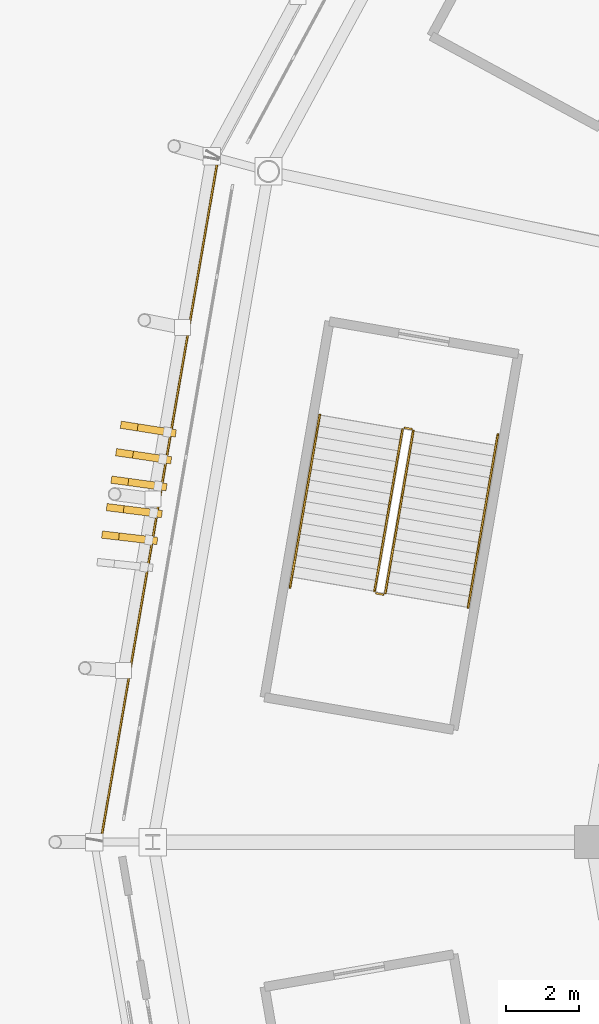
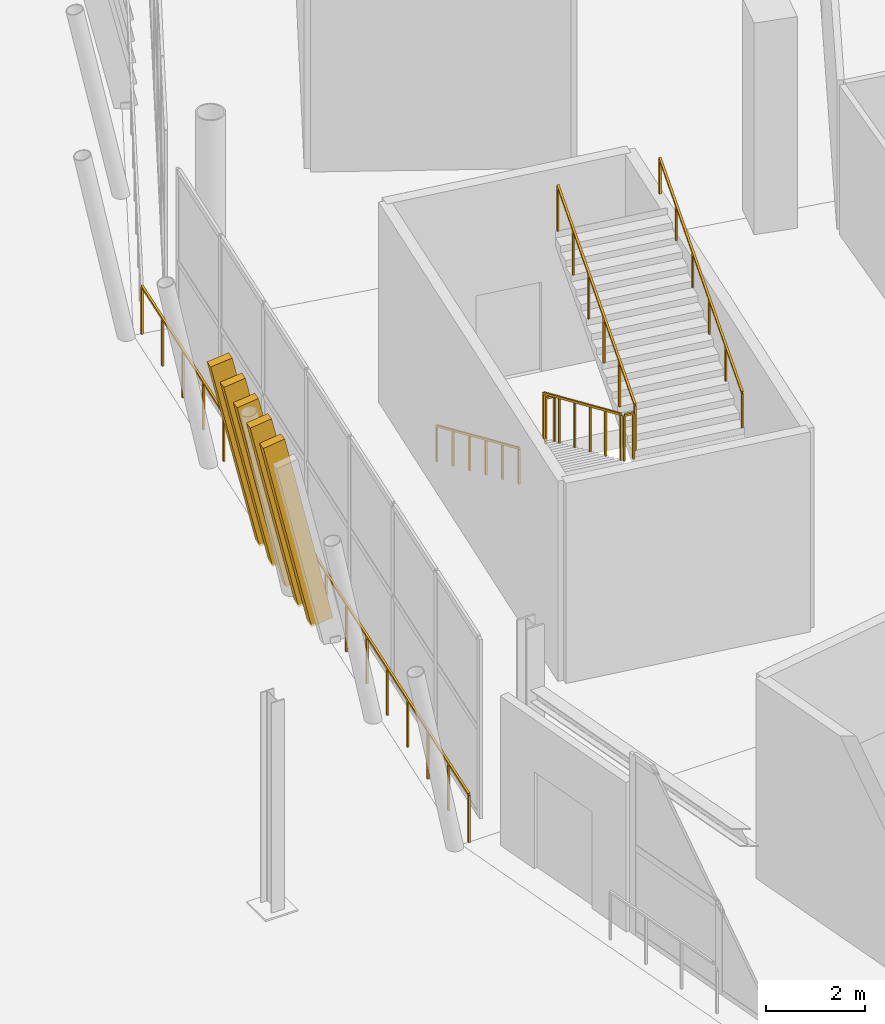
# One storey, part 154 of 178: 7 railings, 5 shading devices.
"""IFC4 building model written with IfcOpenShell, lengths in metres."""

from ifc_helpers import new_model, si_unit, direction, frame, origin, origin_2d, place, context, subcontext, project, spatial, rectangle, extrude, material, material_profile, profile_set, type_object, element, save


model = new_model("IFC4")

# Units and contexts
model_context = context("Model", 3, precision=1e-05, world=origin(), true_north=direction((0.0, 1.0)))
body_context = subcontext(model_context, "Body", "Model", "MODEL_VIEW")
ifc_project = project(units=[si_unit("LENGTHUNIT", "METRE"), si_unit("AREAUNIT", "SQUARE_METRE"), si_unit("VOLUMEUNIT", "CUBIC_METRE"), si_unit("PLANEANGLEUNIT", "RADIAN"), si_unit("MASSUNIT", "GRAM", prefix="KILO")], contexts=[model_context])

# Site, building, storey
site_placement = place(None, origin())
site = spatial("IfcSite", under=ifc_project, at=site_placement, CompositionType="ELEMENT")
building_placement = place(site_placement, origin())
building = spatial("IfcBuilding", under=site, at=building_placement, Name="Zlatoyarsky Gate Stadium", CompositionType="ELEMENT")
storey_placement = place(building_placement, frame((0.0, 0.0, 5.39990234375)))
storey = spatial("IfcBuildingStorey", under=building, at=storey_placement, Name="L01", CompositionType="ELEMENT", Elevation=5.39990234375)

# Railings
ifc_material_1 = material(Name="Powder-coated steel tubular guardrail", Category="steel")
railing_type_1 = type_object("IfcRailingType", Name="CONCOURSE SLAB EDGE GUARDRAIL 1200", PredefinedType="GUARDRAIL", material=ifc_material_1)
railing_1_placement = place(storey_placement, frame((19.7890625, 98.745849609375, 0.0)))
element("IfcRailing", 1, at=railing_1_placement, inside=storey, type_object=railing_type_1, Name="L01 outer slab edge guardrail 11", PredefinedType="GUARDRAIL", context=body_context, shape_type="SweptSolid", body=[
    extrude(rectangle(XDim=0.048095703125, YDim=0.048095703125, at=origin_2d()), frame((0.0, 0.0, 1.17578125), z_axis=(-0.169165818448, -0.98558760436, 0.0), x_axis=(0.98558760436, -0.169165818448, 0.0)), (0.0, 0.0, 1.0), 19.02001953125),
    extrude(rectangle(XDim=0.0419921875, YDim=0.0419921875, at=origin_2d()), origin(), (0.0, 0.0, 1.0), 1.15185546875),
    extrude(rectangle(XDim=0.0419921875, YDim=0.0419921875, at=origin_2d()), frame((-0.201171875, -1.171630859375, 0.0)), (0.0, 0.0, 1.0), 1.15185546875),
    extrude(rectangle(XDim=0.0419921875, YDim=0.0419921875, at=origin_2d()), frame((-0.402099609375, -2.34326171875, 0.0)), (0.0, 0.0, 1.0), 1.15185546875),
    extrude(rectangle(XDim=0.0419921875, YDim=0.0419921875, at=origin_2d()), frame((-0.603271484375, -3.514892578125, 0.0)), (0.0, 0.0, 1.0), 1.15185546875),
    extrude(rectangle(XDim=0.0419921875, YDim=0.0419921875, at=origin_2d()), frame((-0.804443359375, -4.6865234375, 0.0)), (0.0, 0.0, 1.0), 1.15185546875),
    extrude(rectangle(XDim=0.0419921875, YDim=0.0419921875, at=origin_2d()), frame((-1.00537109375, -5.858154296875, 0.0)), (0.0, 0.0, 1.0), 1.15185546875),
    extrude(rectangle(XDim=0.0419921875, YDim=0.0419921875, at=origin_2d()), frame((-1.20654296875, -7.02978515625, 0.0)), (0.0, 0.0, 1.0), 1.15185546875),
    extrude(rectangle(XDim=0.0419921875, YDim=0.0419921875, at=origin_2d()), frame((-1.40771484375, -8.201416015625, 0.0)), (0.0, 0.0, 1.0), 1.15185546875),
    extrude(rectangle(XDim=0.0419921875, YDim=0.0419921875, at=origin_2d()), frame((-1.60888671875, -9.373046875, 0.0)), (0.0, 0.0, 1.0), 1.15185546875),
    extrude(rectangle(XDim=0.0419921875, YDim=0.0419921875, at=origin_2d()), frame((-1.809814453125, -10.54443359375, 0.0)), (0.0, 0.0, 1.0), 1.15185546875),
    extrude(rectangle(XDim=0.0419921875, YDim=0.0419921875, at=origin_2d()), frame((-2.010986328125, -11.716064453125, 0.0)), (0.0, 0.0, 1.0), 1.15185546875),
    extrude(rectangle(XDim=0.0419921875, YDim=0.0419921875, at=origin_2d()), frame((-2.212158203125, -12.8876953125, 0.0)), (0.0, 0.0, 1.0), 1.15185546875),
    extrude(rectangle(XDim=0.0419921875, YDim=0.0419921875, at=origin_2d()), frame((-2.4130859375, -14.059326171875, 0.0)), (0.0, 0.0, 1.0), 1.15185546875),
    extrude(rectangle(XDim=0.0419921875, YDim=0.0419921875, at=origin_2d()), frame((-2.6142578125, -15.23095703125, 0.0)), (0.0, 0.0, 1.0), 1.15185546875),
    extrude(rectangle(XDim=0.0419921875, YDim=0.0419921875, at=origin_2d()), frame((-2.8154296875, -16.402587890625, 0.0)), (0.0, 0.0, 1.0), 1.15185546875),
    extrude(rectangle(XDim=0.0419921875, YDim=0.0419921875, at=origin_2d()), frame((-3.016357421875, -17.57421875, 0.0)), (0.0, 0.0, 1.0), 1.15185546875),
    extrude(rectangle(XDim=0.0419921875, YDim=0.0419921875, at=origin_2d()), frame((-3.217529296875, -18.745849609375, 0.0)), (0.0, 0.0, 1.0), 1.15185546875),
])
ifc_material_2 = material(Name="Powder-coated steel stair guardrail", Category="steel")
railing_type_2 = type_object("IfcRailingType", Name="PAINTED STEEL STAIR WELL GUARDRAIL 1150", PredefinedType="GUARDRAIL", material=ifc_material_2)
railing_2_placement = place(storey_placement, frame((24.841064453125, 91.30859375, 0.16259765625)))
element("IfcRailing", 2, at=railing_2_placement, inside=storey, type_object=railing_type_2, Name="ST-18 L01 stair guard 1", PredefinedType="GUARDRAIL", context=body_context, shape_type="SweptSolid", body=[
    extrude(rectangle(XDim=0.048095703125, YDim=0.048095703125, at=origin_2d()), frame((0.0, 0.0, 1.1259765625), z_axis=(-0.149410651291, -0.866505450206, 0.476282229402), x_axis=(0.985457609709, -0.16992145087, 0.0)), (0.0, 0.0, 1.0), 5.11767578125),
    extrude(rectangle(XDim=0.0419921875, YDim=0.0419921875, at=origin_2d()), origin(), (0.0, 0.0, 1.0), 1.101806640625),
    extrude(rectangle(XDim=0.0419921875, YDim=0.0419921875, at=origin_2d()), frame((-0.15283203125, -0.886962890625, 0.487548828125)), (0.0, 0.0, 1.0), 1.101806640625),
    extrude(rectangle(XDim=0.0419921875, YDim=0.0419921875, at=origin_2d()), frame((-0.305908203125, -1.77392578125, 0.97509765625)), (0.0, 0.0, 1.0), 1.101806640625),
    extrude(rectangle(XDim=0.0419921875, YDim=0.0419921875, at=origin_2d()), frame((-0.458740234375, -2.66064453125, 1.46240234375)), (0.0, 0.0, 1.0), 1.101806640625),
    extrude(rectangle(XDim=0.0419921875, YDim=0.0419921875, at=origin_2d()), frame((-0.61181640625, -3.547607421875, 1.949951171875)), (0.0, 0.0, 1.0), 1.101806640625),
    extrude(rectangle(XDim=0.0419921875, YDim=0.0419921875, at=origin_2d()), frame((-0.7646484375, -4.4345703125, 2.4375)), (0.0, 0.0, 1.0), 1.101806640625),
])
railing_3_placement = place(storey_placement, frame((24.1171875, 86.81640625, 2.60009765625)))
element("IfcRailing", 3, at=railing_3_placement, inside=storey, type_object=railing_type_2, Name="ST-18 L01 stair guard 2", PredefinedType="GUARDRAIL", context=body_context, shape_type="SweptSolid", body=[
    extrude(rectangle(XDim=0.048095703125, YDim=0.048095703125, at=origin_2d()), frame((0.0, 0.0, 1.1259765625), z_axis=(0.985488304827, -0.16974333875, 0.0), x_axis=(0.16974333875, 0.985488304827, 0.0)), (0.0, 0.0, 1.0), 0.199951171875),
    extrude(rectangle(XDim=0.0419921875, YDim=0.0419921875, at=origin_2d()), origin(), (0.0, 0.0, 1.0), 1.101806640625),
    extrude(rectangle(XDim=0.0419921875, YDim=0.0419921875, at=origin_2d()), frame((0.197021484375, -0.033935546875, 0.0)), (0.0, 0.0, 1.0), 1.101806640625),
])
railing_4_placement = place(storey_placement, frame((24.3720703125, 86.8232421875, 2.7626953125)))
element("IfcRailing", 4, at=railing_4_placement, inside=storey, type_object=railing_type_2, Name="ST-18 L01 stair guard 3", PredefinedType="GUARDRAIL", context=body_context, shape_type="SweptSolid", body=[
    extrude(rectangle(XDim=0.048095703125, YDim=0.048095703125, at=origin_2d()), frame((0.0, 0.0, 1.1259765625), z_axis=(0.149410651291, 0.866505450206, 0.476282229402), x_axis=(-0.985457609709, 0.16992145087, 0.0)), (0.0, 0.0, 1.0), 5.11767578125),
    extrude(rectangle(XDim=0.0419921875, YDim=0.0419921875, at=origin_2d()), origin(), (0.0, 0.0, 1.0), 1.101806640625),
    extrude(rectangle(XDim=0.0419921875, YDim=0.0419921875, at=origin_2d()), frame((0.15283203125, 0.886962890625, 0.487548828125)), (0.0, 0.0, 1.0), 1.101806640625),
    extrude(rectangle(XDim=0.0419921875, YDim=0.0419921875, at=origin_2d()), frame((0.305908203125, 1.77392578125, 0.97509765625)), (0.0, 0.0, 1.0), 1.101806640625),
    extrude(rectangle(XDim=0.0419921875, YDim=0.0419921875, at=origin_2d()), frame((0.458740234375, 2.66064453125, 1.46240234375)), (0.0, 0.0, 1.0), 1.101806640625),
    extrude(rectangle(XDim=0.0419921875, YDim=0.0419921875, at=origin_2d()), frame((0.61181640625, 3.547607421875, 1.949951171875)), (0.0, 0.0, 1.0), 1.101806640625),
    extrude(rectangle(XDim=0.0419921875, YDim=0.0419921875, at=origin_2d()), frame((0.7646484375, 4.4345703125, 2.4375)), (0.0, 0.0, 1.0), 1.101806640625),
])
railing_5_placement = place(storey_placement, frame((24.89892578125, 91.349365234375, 0.0)))
element("IfcRailing", 5, at=railing_5_placement, inside=storey, type_object=railing_type_2, Name="ST-18 L01 stair guard 4", PredefinedType="GUARDRAIL", context=body_context, shape_type="SweptSolid", body=[
    extrude(rectangle(XDim=0.048095703125, YDim=0.048095703125, at=origin_2d()), frame((0.0, 0.0, 1.1259765625), z_axis=(0.985488304827, -0.16974333875, 0.0), x_axis=(0.16974333875, 0.985488304827, 0.0)), (0.0, 0.0, 1.0), 0.199951171875),
    extrude(rectangle(XDim=0.0419921875, YDim=0.0419921875, at=origin_2d()), origin(), (0.0, 0.0, 1.0), 1.101806640625),
    extrude(rectangle(XDim=0.0419921875, YDim=0.0419921875, at=origin_2d()), frame((0.197021484375, -0.033935546875, 0.0)), (0.0, 0.0, 1.0), 1.101806640625),
])

# Shading devices
ifc_material_3 = material(Name="Precast concrete C40/50 stone-toned architectural rib", Category="masonry")
ifc_material_profile = material_profile(ifc_material_3, rectangle(XDim=0.199951171875, YDim=0.47998046875, at=origin_2d()), Name="RIB 200X480")
ifc_profile_set = profile_set([ifc_material_profile], Name="Precast concrete C40/50 stone-toned architectural rib")
shading_device_type = type_object("IfcShadingDeviceType", Name="PRECAST FLUTED GATE LOUVRE BLADE 200X480", PredefinedType="SHUTTER", material=ifc_profile_set)
for number, where, z_axis, x_axis, name in (
    (6, (18.399169921875, 91.23388671875, -0.010009765625), (-0.217916743717, 0.034445397034, 0.975359322215), (-0.156128366899, -0.987736773158, 0.0), "Leaning bowl louvre fin L01-11-1"),
    (7, (18.272216796875, 90.49462890625, -0.010009765625), (-0.218223774019, 0.03220695942, 0.975367159698), (-0.146005281434, -0.989283810538, 0.0), "Leaning bowl louvre fin L01-11-2"),
    (8, (18.1455078125, 89.755615234375, -0.010009765625), (-0.218530358948, 0.029866663726, 0.975372987434), (-0.135411731328, -0.990789414063, 0.0), "Leaning bowl louvre fin L01-11-3"),
    (9, (18.0185546875, 89.016357421875, -0.010009765625), (-0.218786670001, 0.027628177165, 0.975381503237), (-0.125284105162, -0.992120906439, 0.0), "Leaning bowl louvre fin L01-11-4"),
    (10, (17.8916015625, 88.277099609375, -0.010009765625), (-0.219090312287, 0.025389239626, 0.975374195667), (-0.115114437103, -0.993352236807, 0.0), "Leaning bowl louvre fin L01-11-5"),
):
    element("IfcShadingDevice", number, at=place(storey_placement, frame(where, z_axis=z_axis, x_axis=x_axis)), inside=storey, type_object=shading_device_type, Name=name, PredefinedType="SHUTTER", context=body_context, shape_type="SweptSolid", body=[
        extrude(rectangle(XDim=0.199951171875, YDim=0.47998046875, at=origin_2d()), origin(), (0.0, 0.0, 1.0), 4.79833984375),
    ])

# Railings
ifc_material_4 = material(Name="Brushed stainless steel 316 handrail", Category="steel")
railing_type_3 = type_object("IfcRailingType", Name="STAINLESS STEEL TUBULAR HANDRAIL 900", PredefinedType="HANDRAIL", material=ifc_material_4)
railing_6_placement = place(storey_placement, frame((22.574462890625, 91.699462890625, 0.16650390625)))
element("IfcRailing", 11, at=railing_6_placement, inside=storey, type_object=railing_type_3, Name="ST-18 L01 stair handrail 1", PredefinedType="HANDRAIL", context=body_context, shape_type="SweptSolid", body=[
    extrude(rectangle(XDim=0.048095703125, YDim=0.048095703125, at=origin_2d()), frame((0.0, 0.0, 0.8759765625), z_axis=(-0.149417737082, -0.866497652186, 0.476294193331), x_axis=(0.985456004189, -0.169930761806, 0.0)), (0.0, 0.0, 1.0), 5.458984375),
    extrude(rectangle(XDim=0.0419921875, YDim=0.0419921875, at=origin_2d()), origin(), (0.0, 0.0, 1.0), 0.851806640625),
    extrude(rectangle(XDim=0.0419921875, YDim=0.0419921875, at=origin_2d()), frame((-0.1630859375, -0.946044921875, 0.52001953125)), (0.0, 0.0, 1.0), 0.851806640625),
    extrude(rectangle(XDim=0.0419921875, YDim=0.0419921875, at=origin_2d()), frame((-0.326171875, -1.89208984375, 1.0400390625)), (0.0, 0.0, 1.0), 0.851806640625),
    extrude(rectangle(XDim=0.0419921875, YDim=0.0419921875, at=origin_2d()), frame((-0.489501953125, -2.838134765625, 1.56005859375)), (0.0, 0.0, 1.0), 0.851806640625),
    extrude(rectangle(XDim=0.0419921875, YDim=0.0419921875, at=origin_2d()), frame((-0.652587890625, -3.7841796875, 2.080078125)), (0.0, 0.0, 1.0), 0.851806640625),
    extrude(rectangle(XDim=0.0419921875, YDim=0.0419921875, at=origin_2d()), frame((-0.815673828125, -4.730224609375, 2.60009765625)), (0.0, 0.0, 1.0), 0.851806640625),
])
railing_7_placement = place(storey_placement, frame((26.638427734375, 86.432373046875, 2.7666015625)))
element("IfcRailing", 12, at=railing_7_placement, inside=storey, type_object=railing_type_3, Name="ST-18 L01 stair handrail 2", PredefinedType="HANDRAIL", context=body_context, shape_type="SweptSolid", body=[
    extrude(rectangle(XDim=0.048095703125, YDim=0.048095703125, at=origin_2d()), frame((0.0, 0.0, 0.8759765625), z_axis=(0.149461460644, 0.866491861156, 0.476291010132), x_axis=(-0.985447485669, 0.169980154689, 0.0)), (0.0, 0.0, 1.0), 5.458984375),
    extrude(rectangle(XDim=0.0419921875, YDim=0.0419921875, at=origin_2d()), origin(), (0.0, 0.0, 1.0), 0.851806640625),
    extrude(rectangle(XDim=0.0419921875, YDim=0.0419921875, at=origin_2d()), frame((0.1630859375, 0.946044921875, 0.52001953125)), (0.0, 0.0, 1.0), 0.851806640625),
    extrude(rectangle(XDim=0.0419921875, YDim=0.0419921875, at=origin_2d()), frame((0.326416015625, 1.89208984375, 1.0400390625)), (0.0, 0.0, 1.0), 0.851806640625),
    extrude(rectangle(XDim=0.0419921875, YDim=0.0419921875, at=origin_2d()), frame((0.489501953125, 2.838134765625, 1.56005859375)), (0.0, 0.0, 1.0), 0.851806640625),
    extrude(rectangle(XDim=0.0419921875, YDim=0.0419921875, at=origin_2d()), frame((0.65283203125, 3.7841796875, 2.080078125)), (0.0, 0.0, 1.0), 0.851806640625),
    extrude(rectangle(XDim=0.0419921875, YDim=0.0419921875, at=origin_2d()), frame((0.81591796875, 4.730224609375, 2.60009765625)), (0.0, 0.0, 1.0), 0.851806640625),
])

save(model, "model.ifc")
